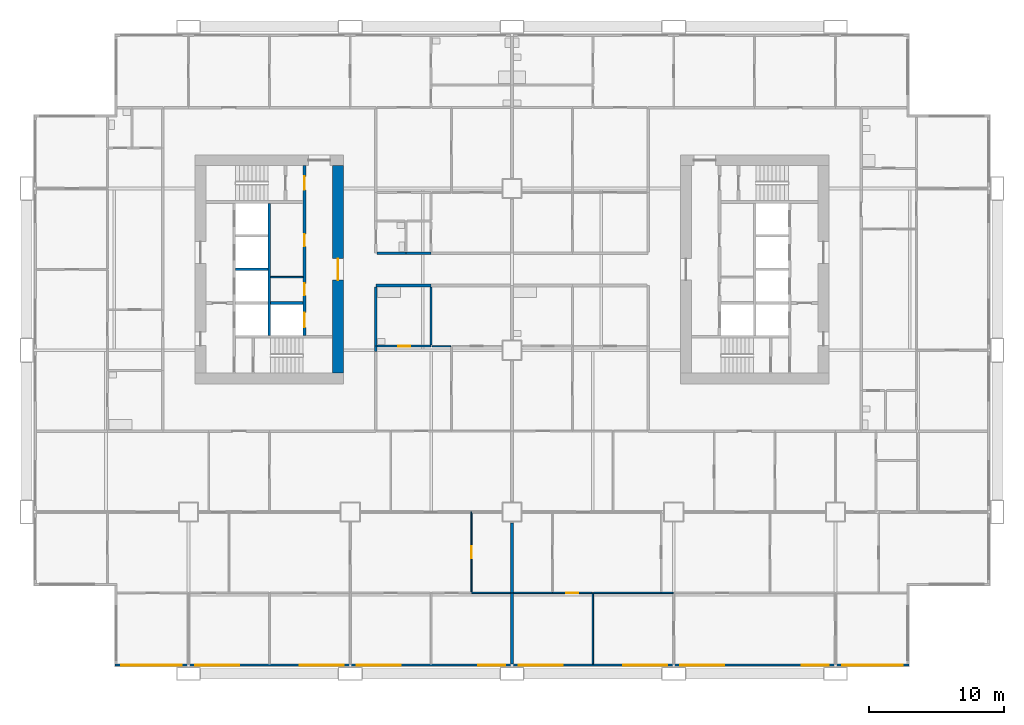
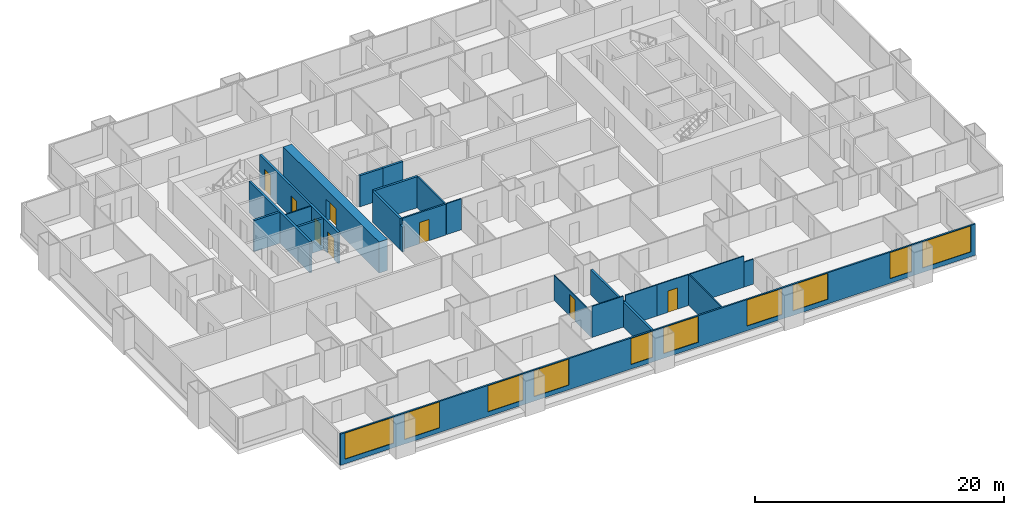
# One storey, part 4 of 13: 24 walls, 10 windows, 8 doors, 18 openings.
"""IFC4 building model written with IfcOpenShell, lengths in metres."""

from ifc_helpers import new_model, si_unit, direction, frame, frame_2d, origin, place, context, subcontext, project, spatial, rectangle, extrude, material, layer, layer_set, type_object, element, fill, save


model = new_model("IFC4")

# Units and contexts
model_context = context("Model", 3, precision=1e-05, world=origin(), true_north=direction((0.0, 1.0)))
body_context = subcontext(model_context, "Body", "Model", "MODEL_VIEW")
ifc_project = project(units=[si_unit("LENGTHUNIT", "METRE"), si_unit("AREAUNIT", "SQUARE_METRE"), si_unit("VOLUMEUNIT", "CUBIC_METRE"), si_unit("PLANEANGLEUNIT", "RADIAN"), si_unit("MASSUNIT", "GRAM", prefix="KILO")], contexts=[model_context])

# Site, building, storey
site_placement = place(None, origin())
site = spatial("IfcSite", under=ifc_project, at=site_placement, CompositionType="ELEMENT")
building_placement = place(site_placement, origin())
building = spatial("IfcBuilding", under=site, at=building_placement, Name="Kitamizu Gate Tower and Museum", CompositionType="ELEMENT")
storey_placement = place(building_placement, frame((0.0, 0.0, 36.89990234375)))
storey = spatial("IfcBuildingStorey", under=building, at=storey_placement, Name="L07", CompositionType="ELEMENT", Elevation=36.89990234375)

# Wall, opening, door
ifc_material_1 = material(Name="Concrete Fc60", Category="concrete")
ifc_layer_1 = layer(ifc_material_1, 0.800048828125)
ifc_layer_set_1 = layer_set([ifc_layer_1], Name="Concrete Fc60")
wall_type_1 = type_object("IfcWallType", Name="Core wall 800", PredefinedType="SHEAR", material=ifc_layer_set_1)
wall_1_placement = place(storey_placement, frame((23.10009765625, 22.300048828125, 0.0), z_axis=(0.0, 0.0, 1.0), x_axis=(0.0, 1.0, 0.0)))
wall_1 = element("IfcWall", 1, at=wall_1_placement, inside=storey, type_object=wall_type_1, Name="Core wall WARC", PredefinedType="SHEAR", context=body_context, shape_type="SweptSolid", body=[
    extrude(rectangle(XDim=15.39990234375, YDim=0.800048828125, at=frame_2d((7.699951171875, 0.0))), origin(), (0.0, 0.0, 1.0), 3.050048828125),
])
opening_1_placement = place(wall_1_placement, frame((6.89990234375, 0.0, 0.0)))
opening_1 = element("IfcOpeningElement", 2, at=opening_1_placement, cuts=wall_1, Name="Opening L07-086", PredefinedType="OPENING", context=body_context, shape_type="SweptSolid", body=[
    extrude(rectangle(XDim=1.60009765625, YDim=2.10009765625, at=frame_2d((0.800048828125, 1.050048828125))), frame((0.0, 0.41015625, 0.0), z_axis=(0.0, -1.0, 0.0), x_axis=(1.0, 0.0, 0.0)), (0.0, 0.0, 1.0), 0.820068359375),
])
ifc_material_2 = material(Name="Timber door set", Category="wood")
door_type_1 = type_object("IfcDoorType", Name="Entrance door 1600", OperationType="DOUBLE_DOOR_SINGLE_SWING", PredefinedType="DOOR", material=ifc_material_2)
door_1_placement = place(opening_1_placement, origin())
door_1 = element("IfcDoor", 3, at=door_1_placement, inside=storey, type_object=door_type_1, Name="Lobby door L07-086", OperationType="DOUBLE_DOOR_SINGLE_SWING", OverallHeight=2.10009765625, OverallWidth=1.60009765625, PredefinedType="DOOR", context=body_context, shape_type="SweptSolid", body=[
    extrude(rectangle(XDim=1.60009765625, YDim=2.10009765625, at=frame_2d((0.800048828125, 1.050048828125))), frame((0.0, 0.02490234375, 0.0), z_axis=(0.0, -1.0, 0.0), x_axis=(1.0, 0.0, 0.0)), (0.0, 0.0, 1.0), 0.050048828125),
])
fill(opening_1, door_1)

# Walls
ifc_material_3 = material(Name="Gypsum board on galvanised stud")
ifc_layer_2 = layer(ifc_material_3, 0.10009765625)
ifc_layer_set_2 = layer_set([ifc_layer_2], Name="Gypsum board on galvanised stud")
wall_type_2 = type_object("IfcWallType", Name="Partition 100", PredefinedType="PARTITIONING", material=ifc_layer_set_2)
wall_2_placement = place(storey_placement, frame((18.10009765625, 29.425048828125, 0.0), z_axis=(0.0, 0.0, 1.0), x_axis=(1.0, 0.0, 0.0)))
element("IfcWall", 4, at=wall_2_placement, inside=storey, type_object=wall_type_2, Name="Partition WPF1", PredefinedType="PARTITIONING", context=body_context, shape_type="SweptSolid", body=[
    extrude(rectangle(XDim=2.39990234375, YDim=0.10009765625, at=frame_2d((1.199951171875, 0.0))), origin(), (0.0, 0.0, 1.0), 3.050048828125),
])
ifc_material_4 = material(Name="Gypsum board on galvanised stud")
ifc_layer_3 = layer(ifc_material_4, 0.10009765625)
ifc_layer_set_3 = layer_set([ifc_layer_3], Name="Gypsum board on galvanised stud")
wall_type_3 = type_object("IfcWallType", Name="Partition 100 NOT RATED", PredefinedType="PARTITIONING", material=ifc_layer_set_3)
wall_3_placement = place(storey_placement, frame((35.89990234375, 6.0, 0.0), z_axis=(0.0, 0.0, 1.0), x_axis=(-1.0, 0.0, 0.0)))
element("IfcWall", 5, at=wall_3_placement, inside=storey, type_object=wall_type_3, Name="Partition L07-011", PredefinedType="PARTITIONING", context=body_context, shape_type="SweptSolid", body=[
    extrude(rectangle(XDim=2.89990234375, YDim=0.10009765625, at=frame_2d((1.449951171875, 0.0))), origin(), (0.0, 0.0, 1.0), 3.050048828125),
])

# Wall, opening, door
wall_4_placement = place(storey_placement, frame((33.0, 6.050048828125, 0.0), z_axis=(0.0, 0.0, 1.0), x_axis=(0.0, 1.0, 0.0)))
wall_4 = element("IfcWall", 6, at=wall_4_placement, inside=storey, type_object=wall_type_3, Name="Partition L07-022", PredefinedType="PARTITIONING", context=body_context, shape_type="SweptSolid", body=[
    extrude(rectangle(XDim=5.949951171875, YDim=0.10009765625, at=frame_2d((2.97509765625, 0.0))), origin(), (0.0, 0.0, 1.0), 2.4501953125),
])
opening_2_placement = place(wall_4_placement, frame((2.52490234375, 0.0, 0.0)))
opening_2 = element("IfcOpeningElement", 7, at=opening_2_placement, cuts=wall_4, Name="Opening L07-011", PredefinedType="OPENING", context=body_context, shape_type="SweptSolid", body=[
    extrude(rectangle(XDim=0.89990234375, YDim=2.10009765625, at=frame_2d((0.449951171875, 1.050048828125))), frame((0.0, 0.06005859375, 0.0), z_axis=(0.0, -1.0, 0.0), x_axis=(1.0, 0.0, 0.0)), (0.0, 0.0, 1.0), 0.1201171875),
])
ifc_material_5 = material(Name="Timber door set", Category="wood")
door_type_2 = type_object("IfcDoorType", Name="Room door 900", OperationType="NOTDEFINED", PredefinedType="DOOR", material=ifc_material_5)
door_2_placement = place(opening_2_placement, frame((0.89990234375, 0.0, 0.0), x_axis=(-1.0, 0.0, 0.0)))
door_2 = element("IfcDoor", 8, at=door_2_placement, inside=storey, type_object=door_type_2, Name="Door L07-011", OperationType="SINGLE_SWING_LEFT", OverallHeight=2.10009765625, OverallWidth=0.89990234375, PredefinedType="DOOR", context=body_context, shape_type="SweptSolid", body=[
    extrude(rectangle(XDim=0.89990234375, YDim=2.10009765625, at=frame_2d((0.449951171875, 1.050048828125))), frame((0.0, 0.02490234375, 0.0), z_axis=(0.0, -1.0, 0.0), x_axis=(1.0, 0.0, 0.0)), (0.0, 0.0, 1.0), 0.050048828125),
])
fill(opening_2, door_2)

# Walls
wall_5_placement = place(storey_placement, frame((31.449951171875, 24.300048828125, 0.0), z_axis=(0.0, 0.0, 1.0), x_axis=(-1.0, 0.0, 0.0)))
element("IfcWall", 9, at=wall_5_placement, inside=storey, type_object=wall_type_3, Name="Partition L07-041", PredefinedType="PARTITIONING", context=body_context, shape_type="SweptSolid", body=[
    extrude(rectangle(XDim=1.375, YDim=0.10009765625, at=frame_2d((0.6875, 0.0))), origin(), (0.0, 0.0, 1.0), 3.050048828125),
])
wall_6_placement = place(storey_placement, frame((42.0, 0.719970703125, 0.0), z_axis=(0.0, 0.0, 1.0), x_axis=(0.0, 1.0, 0.0)))
element("IfcWall", 10, at=wall_6_placement, inside=storey, type_object=wall_type_3, Name="Partition L07-073", PredefinedType="PARTITIONING", context=body_context, shape_type="SweptSolid", body=[
    extrude(rectangle(XDim=5.280029296875, YDim=0.10009765625, at=frame_2d((2.64013671875, 0.0))), origin(), (0.0, 0.0, 1.0), 3.050048828125),
])
wall_7_placement = place(storey_placement, frame((39.0, 6.0, 0.0), z_axis=(0.0, 0.0, 1.0), x_axis=(-1.0, 0.0, 0.0)))
element("IfcWall", 11, at=wall_7_placement, inside=storey, type_object=wall_type_3, Name="Partition L07-074", PredefinedType="PARTITIONING", context=body_context, shape_type="SweptSolid", body=[
    extrude(rectangle(XDim=2.89990234375, YDim=0.10009765625, at=frame_2d((1.449951171875, 0.0))), origin(), (0.0, 0.0, 1.0), 3.050048828125),
])

# Wall, opening, door
wall_8_placement = place(storey_placement, frame((41.949951171875, 6.0, 0.0), z_axis=(0.0, 0.0, 1.0), x_axis=(-1.0, 0.0, 0.0)))
wall_8 = element("IfcWall", 12, at=wall_8_placement, inside=storey, type_object=wall_type_3, Name="Partition L07-075", PredefinedType="PARTITIONING", context=body_context, shape_type="SweptSolid", body=[
    extrude(rectangle(XDim=2.949951171875, YDim=0.10009765625, at=frame_2d((1.47509765625, 0.0))), origin(), (0.0, 0.0, 1.0), 3.050048828125),
])
opening_3_placement = place(wall_8_placement, frame((1.02490234375, 0.0, 0.0)))
opening_3 = element("IfcOpeningElement", 13, at=opening_3_placement, cuts=wall_8, Name="Opening L07-033", PredefinedType="OPENING", context=body_context, shape_type="SweptSolid", body=[
    extrude(rectangle(XDim=0.89990234375, YDim=2.10009765625, at=frame_2d((0.449951171875, 1.050048828125))), frame((0.0, 0.06005859375, 0.0), z_axis=(0.0, -1.0, 0.0), x_axis=(1.0, 0.0, 0.0)), (0.0, 0.0, 1.0), 0.1201171875),
])
door_3_placement = place(opening_3_placement, origin())
door_3 = element("IfcDoor", 14, at=door_3_placement, inside=storey, type_object=door_type_2, Name="Door L07-033", OperationType="SINGLE_SWING_RIGHT", OverallHeight=2.10009765625, OverallWidth=0.89990234375, PredefinedType="DOOR", context=body_context, shape_type="SweptSolid", body=[
    extrude(rectangle(XDim=0.89990234375, YDim=2.10009765625, at=frame_2d((0.449951171875, 1.050048828125))), frame((0.0, 0.02490234375, 0.0), z_axis=(0.0, -1.0, 0.0), x_axis=(1.0, 0.0, 0.0)), (0.0, 0.0, 1.0), 0.050048828125),
])
fill(opening_3, door_3)

# Walls
wall_9_placement = place(storey_placement, frame((47.070068359375, 6.0, 0.0), z_axis=(0.0, 0.0, 1.0), x_axis=(-1.0, 0.0, 0.0)))
element("IfcWall", 15, at=wall_9_placement, inside=storey, type_object=wall_type_3, Name="Partition L07-077", PredefinedType="PARTITIONING", context=body_context, shape_type="SweptSolid", body=[
    extrude(rectangle(XDim=5.02001953125, YDim=0.10009765625, at=frame_2d((2.510009765625, 0.0))), origin(), (0.0, 0.0, 1.0), 3.050048828125),
])
wall_10_placement = place(storey_placement, frame((47.949951171875, 6.0, 0.0), z_axis=(0.0, 0.0, 1.0), x_axis=(-1.0, 0.0, 0.0)))
element("IfcWall", 16, at=wall_10_placement, inside=storey, type_object=wall_type_3, Name="Partition L07-078", PredefinedType="PARTITIONING", context=body_context, shape_type="SweptSolid", body=[
    extrude(rectangle(XDim=0.8798828125, YDim=0.10009765625, at=frame_2d((0.43994140625, 0.0))), origin(), (0.0, 0.0, 1.0), 2.4501953125),
])

# Wall, opening, door
ifc_material_6 = material(Name="Gypsum board on galvanised stud")
ifc_layer_4 = layer(ifc_material_6, 0.14990234375)
ifc_layer_set_4 = layer_set([ifc_layer_4], Name="Gypsum board on galvanised stud")
wall_type_4 = type_object("IfcWallType", Name="Partition 150", PredefinedType="PARTITIONING", material=ifc_layer_set_4)
wall_11_placement = place(storey_placement, frame((30.0, 24.300048828125, 0.0), z_axis=(0.0, 0.0, 1.0), x_axis=(-1.0, 0.0, 0.0)))
wall_11 = element("IfcWall", 17, at=wall_11_placement, inside=storey, type_object=wall_type_4, Name="Partition L07-040", PredefinedType="PARTITIONING", context=body_context, shape_type="SweptSolid", body=[
    extrude(rectangle(XDim=4.0, YDim=0.14990234375, at=frame_2d((2.0, 0.0))), origin(), (0.0, 0.0, 1.0), 3.050048828125),
])
opening_4_placement = place(wall_11_placement, frame((1.550048828125, 0.0, 0.0)))
opening_4 = element("IfcOpeningElement", 18, at=opening_4_placement, cuts=wall_11, Name="Opening L07-017", PredefinedType="OPENING", context=body_context, shape_type="SweptSolid", body=[
    extrude(rectangle(XDim=0.89990234375, YDim=2.10009765625, at=frame_2d((0.449951171875, 1.050048828125))), frame((0.0, 0.0849609375, 0.0), z_axis=(0.0, -1.0, 0.0), x_axis=(1.0, 0.0, 0.0)), (0.0, 0.0, 1.0), 0.169921875),
])
ifc_material_7 = material(Name="Timber door set", Category="wood")
door_type_3 = type_object("IfcDoorType", Name="Bathroom door 900", OperationType="NOTDEFINED", PredefinedType="DOOR", material=ifc_material_7)
door_4_placement = place(opening_4_placement, frame((0.89990234375, 0.0, 0.0), x_axis=(-1.0, 0.0, 0.0)))
door_4 = element("IfcDoor", 19, at=door_4_placement, inside=storey, type_object=door_type_3, Name="Bathroom door L07-017", OperationType="SINGLE_SWING_LEFT", OverallHeight=2.10009765625, OverallWidth=0.89990234375, PredefinedType="DOOR", context=body_context, shape_type="SweptSolid", body=[
    extrude(rectangle(XDim=0.89990234375, YDim=2.10009765625, at=frame_2d((0.449951171875, 1.050048828125))), frame((0.0, 0.02490234375, 0.0), z_axis=(0.0, -1.0, 0.0), x_axis=(1.0, 0.0, 0.0)), (0.0, 0.0, 1.0), 0.050048828125),
])
fill(opening_4, door_4)

# Walls
wall_12_placement = place(storey_placement, frame((30.0, 24.375, 0.0), z_axis=(0.0, 0.0, 1.0), x_axis=(0.0, 1.0, 0.0)))
element("IfcWall", 20, at=wall_12_placement, inside=storey, type_object=wall_type_4, Name="Partition L07-046", PredefinedType="PARTITIONING", context=body_context, shape_type="SweptSolid", body=[
    extrude(rectangle(XDim=4.324951171875, YDim=0.14990234375, at=frame_2d((2.16259765625, 0.0))), origin(), (0.0, 0.0, 1.0), 3.050048828125),
])
ifc_material_8 = material(Name="Gypsum board on galvanised stud")
ifc_layer_5 = layer(ifc_material_8, 0.199951171875)
ifc_layer_set_5 = layer_set([ifc_layer_5], Name="Gypsum board on galvanised stud")
wall_type_5 = type_object("IfcWallType", Name="Partition 200", PredefinedType="PARTITIONING", material=ifc_layer_set_5)
wall_13_placement = place(storey_placement, frame((36.0, 0.719970703125, 0.0), z_axis=(0.0, 0.0, 1.0), x_axis=(0.0, 1.0, 0.0)))
element("IfcWall", 21, at=wall_13_placement, inside=storey, type_object=wall_type_5, Name="Partition L07-012", PredefinedType="PARTITIONING", context=body_context, shape_type="SweptSolid", body=[
    extrude(rectangle(XDim=5.280029296875, YDim=0.199951171875, at=frame_2d((2.64013671875, 0.0))), origin(), (0.0, 0.0, 1.0), 2.4501953125),
])
wall_14_placement = place(storey_placement, frame((36.0, 6.0, 0.0), z_axis=(0.0, 0.0, 1.0), x_axis=(0.0, 1.0, 0.0)))
element("IfcWall", 22, at=wall_14_placement, inside=storey, type_object=wall_type_5, Name="Partition L07-026", PredefinedType="PARTITIONING", context=body_context, shape_type="SweptSolid", body=[
    extrude(rectangle(XDim=5.199951171875, YDim=0.199951171875, at=frame_2d((2.60009765625, 0.0))), origin(), (0.0, 0.0, 1.0), 2.4501953125),
])
wall_15_placement = place(storey_placement, frame((25.89990234375, 24.300048828125, 0.0), z_axis=(0.0, 0.0, 1.0), x_axis=(0.0, -1.0, 0.0)))
element("IfcWall", 23, at=wall_15_placement, inside=storey, type_object=wall_type_5, Name="Partition L07-042", PredefinedType="PARTITIONING", context=body_context, shape_type="SweptSolid", body=[
    extrude(rectangle(XDim=0.400146484375, YDim=0.199951171875, at=frame_2d((0.2001953125, 0.0))), origin(), (0.0, 0.0, 1.0), 2.4501953125),
])
wall_16_placement = place(storey_placement, frame((30.0, 28.800048828125, 0.0), z_axis=(0.0, 0.0, 1.0), x_axis=(-1.0, 0.0, 0.0)))
element("IfcWall", 24, at=wall_16_placement, inside=storey, type_object=wall_type_5, Name="Partition L07-047", PredefinedType="PARTITIONING", context=body_context, shape_type="SweptSolid", body=[
    extrude(rectangle(XDim=4.10009765625, YDim=0.199951171875, at=frame_2d((2.050048828125, 0.0))), origin(), (0.0, 0.0, 1.0), 3.050048828125),
])
wall_17_placement = place(storey_placement, frame((25.89990234375, 28.699951171875, 0.0), z_axis=(0.0, 0.0, 1.0), x_axis=(0.0, -1.0, 0.0)))
element("IfcWall", 25, at=wall_17_placement, inside=storey, type_object=wall_type_5, Name="Partition L07-048", PredefinedType="PARTITIONING", context=body_context, shape_type="SweptSolid", body=[
    extrude(rectangle(XDim=4.39990234375, YDim=0.199951171875, at=frame_2d((2.199951171875, 0.0))), origin(), (0.0, 0.0, 1.0), 3.050048828125),
])
wall_18_placement = place(storey_placement, frame((26.0, 31.199951171875, 0.0), z_axis=(0.0, 0.0, 1.0), x_axis=(1.0, 0.0, 0.0)))
element("IfcWall", 26, at=wall_18_placement, inside=storey, type_object=wall_type_5, Name="Partition L07-171", PredefinedType="PARTITIONING", context=body_context, shape_type="SweptSolid", body=[
    extrude(rectangle(XDim=2.14990234375, YDim=0.199951171875, at=frame_2d((1.074951171875, 0.0))), origin(), (0.0, 0.0, 1.0), 3.050048828125),
])
wall_19_placement = place(storey_placement, frame((28.14990234375, 31.199951171875, 0.0), z_axis=(0.0, 0.0, 1.0), x_axis=(1.0, 0.0, 0.0)))
element("IfcWall", 27, at=wall_19_placement, inside=storey, type_object=wall_type_5, Name="Partition L07-174", PredefinedType="PARTITIONING", context=body_context, shape_type="SweptSolid", body=[
    extrude(rectangle(XDim=1.85009765625, YDim=0.199951171875, at=frame_2d((0.925048828125, 0.0))), origin(), (0.0, 0.0, 1.0), 3.050048828125),
])

# Wall, openings, doors
ifc_material_9 = material(Name="Concrete Fc42", Category="concrete")
ifc_layer_6 = layer(ifc_material_9, 0.199951171875)
ifc_layer_set_6 = layer_set([ifc_layer_6], Name="Concrete Fc42")
wall_type_6 = type_object("IfcWallType", Name="Shaft wall 200", PredefinedType="SOLIDWALL", material=ifc_layer_set_6)
wall_20_placement = place(storey_placement, frame((20.60009765625, 25.10009765625, 0.0), z_axis=(0.0, 0.0, 1.0), x_axis=(0.0, 1.0, 0.0)))
wall_20 = element("IfcWall", 28, at=wall_20_placement, inside=storey, type_object=wall_type_6, Name="Shaft wall WEAST", PredefinedType="SOLIDWALL", context=body_context, shape_type="SweptSolid", body=[
    extrude(rectangle(XDim=12.599853515625, YDim=0.199951171875, at=frame_2d((6.2998046875, 0.0))), origin(), (0.0, 0.0, 1.0), 3.050048828125),
])
opening_5_placement = place(wall_20_placement, frame((0.60009765625, 0.0, 0.0)))
opening_5 = element("IfcOpeningElement", 29, at=opening_5_placement, cuts=wall_20, Name="Opening LD", PredefinedType="OPENING", context=body_context, shape_type="SweptSolid", body=[
    extrude(rectangle(XDim=1.10009765625, YDim=2.10009765625, at=frame_2d((0.550048828125, 1.050048828125))), frame((0.0, 0.10986328125, 0.0), z_axis=(0.0, -1.0, 0.0), x_axis=(1.0, 0.0, 0.0)), (0.0, 0.0, 1.0), 0.219970703125),
])
opening_6_placement = place(wall_20_placement, frame((10.800048828125, 0.0, 0.0)))
opening_6 = element("IfcOpeningElement", 30, at=opening_6_placement, cuts=wall_20, Name="Opening L07-080", PredefinedType="OPENING", context=body_context, shape_type="SweptSolid", body=[
    extrude(rectangle(XDim=1.0, YDim=2.10009765625, at=frame_2d((0.5, 1.050048828125))), frame((0.0, 0.10986328125, 0.0), z_axis=(0.0, -1.0, 0.0), x_axis=(1.0, 0.0, 0.0)), (0.0, 0.0, 1.0), 0.219970703125),
])
opening_7_placement = place(wall_20_placement, frame((2.96240234375, 0.0, 0.0)))
opening_7 = element("IfcOpeningElement", 31, at=opening_7_placement, cuts=wall_20, Name="Opening L07-087", PredefinedType="OPENING", context=body_context, shape_type="SweptSolid", body=[
    extrude(rectangle(XDim=0.89990234375, YDim=2.10009765625, at=frame_2d((0.449951171875, 1.050048828125))), frame((0.0, 0.10986328125, 0.0), z_axis=(0.0, -1.0, 0.0), x_axis=(1.0, 0.0, 0.0)), (0.0, 0.0, 1.0), 0.219970703125),
])
opening_8_placement = place(wall_20_placement, frame((6.612548828125, 0.0, 0.0)))
opening_8 = element("IfcOpeningElement", 32, at=opening_8_placement, cuts=wall_20, Name="Opening L07-088", PredefinedType="OPENING", context=body_context, shape_type="SweptSolid", body=[
    extrude(rectangle(XDim=0.89990234375, YDim=2.10009765625, at=frame_2d((0.449951171875, 1.050048828125))), frame((0.0, 0.10986328125, 0.0), z_axis=(0.0, -1.0, 0.0), x_axis=(1.0, 0.0, 0.0)), (0.0, 0.0, 1.0), 0.219970703125),
])
ifc_material_10 = material(Name="Hollow metal door set")
door_type_4 = type_object("IfcDoorType", Name="Fire door 1000", OperationType="NOTDEFINED", PredefinedType="DOOR", material=ifc_material_10)
door_5_placement = place(opening_6_placement, origin())
door_5 = element("IfcDoor", 33, at=door_5_placement, inside=storey, type_object=door_type_4, Name="Stair lobby door L07-080", OperationType="SINGLE_SWING_LEFT", OverallHeight=2.10009765625, OverallWidth=1.0, PredefinedType="DOOR", context=body_context, shape_type="SweptSolid", body=[
    extrude(rectangle(XDim=1.0, YDim=2.10009765625, at=frame_2d((0.5, 1.050048828125))), frame((0.0, 0.02490234375, 0.0), z_axis=(0.0, -1.0, 0.0), x_axis=(1.0, 0.0, 0.0)), (0.0, 0.0, 1.0), 0.050048828125),
])
fill(opening_6, door_5)
ifc_material_11 = material(Name="Hollow metal door set")
door_type_5 = type_object("IfcDoorType", Name="Landing door 1100", OperationType="SLIDING_TO_LEFT", PredefinedType="DOOR", material=ifc_material_11)
door_6_placement = place(opening_5_placement, origin())
door_6 = element("IfcDoor", 34, at=door_6_placement, inside=storey, type_object=door_type_5, Name="Landing door WSV1", OperationType="SLIDING_TO_LEFT", OverallHeight=2.10009765625, OverallWidth=1.10009765625, PredefinedType="DOOR", context=body_context, shape_type="SweptSolid", body=[
    extrude(rectangle(XDim=1.10009765625, YDim=2.10009765625, at=frame_2d((0.550048828125, 1.050048828125))), frame((0.0, 0.02490234375, 0.0), z_axis=(0.0, -1.0, 0.0), x_axis=(1.0, 0.0, 0.0)), (0.0, 0.0, 1.0), 0.050048828125),
])
fill(opening_5, door_6)
ifc_material_12 = material(Name="Timber door set", Category="wood")
door_type_6 = type_object("IfcDoorType", Name="Service door 900", OperationType="NOTDEFINED", PredefinedType="DOOR", material=ifc_material_12)
door_7_placement = place(opening_7_placement, origin())
door_7 = element("IfcDoor", 35, at=door_7_placement, inside=storey, type_object=door_type_6, Name="Service door L07-087", OperationType="SINGLE_SWING_LEFT", OverallHeight=2.10009765625, OverallWidth=0.89990234375, PredefinedType="DOOR", context=body_context, shape_type="SweptSolid", body=[
    extrude(rectangle(XDim=0.89990234375, YDim=2.10009765625, at=frame_2d((0.449951171875, 1.050048828125))), frame((0.0, 0.02490234375, 0.0), z_axis=(0.0, -1.0, 0.0), x_axis=(1.0, 0.0, 0.0)), (0.0, 0.0, 1.0), 0.050048828125),
])
fill(opening_7, door_7)
door_8_placement = place(opening_8_placement, origin())
door_8 = element("IfcDoor", 36, at=door_8_placement, inside=storey, type_object=door_type_6, Name="Service door L07-088", OperationType="SINGLE_SWING_RIGHT", OverallHeight=2.10009765625, OverallWidth=0.89990234375, PredefinedType="DOOR", context=body_context, shape_type="SweptSolid", body=[
    extrude(rectangle(XDim=0.89990234375, YDim=2.10009765625, at=frame_2d((0.449951171875, 1.050048828125))), frame((0.0, 0.02490234375, 0.0), z_axis=(0.0, -1.0, 0.0), x_axis=(1.0, 0.0, 0.0)), (0.0, 0.0, 1.0), 0.050048828125),
])
fill(opening_8, door_8)

# Walls
wall_21_placement = place(storey_placement, frame((18.0, 25.10009765625, 0.0), z_axis=(0.0, 0.0, 1.0), x_axis=(0.0, 1.0, 0.0)))
element("IfcWall", 37, at=wall_21_placement, inside=storey, type_object=wall_type_6, Name="Shaft wall WMID", PredefinedType="SOLIDWALL", context=body_context, shape_type="SweptSolid", body=[
    extrude(rectangle(XDim=9.7998046875, YDim=0.199951171875, at=frame_2d((4.89990234375, 0.0))), origin(), (0.0, 0.0, 1.0), 3.050048828125),
])
for number, where, z_axis, x_axis, name in (
    (38, (15.5, 30.0, 0.0), (0.0, 0.0, 1.0), (1.0, 0.0, 0.0), "Shaft wall WDVW1"),
    (39, (18.10009765625, 27.5, 0.0), (0.0, 0.0, 1.0), (1.0, 0.0, 0.0), "Shaft wall WDVE0"),
):
    element("IfcWall", number, at=place(storey_placement, frame(where, z_axis=z_axis, x_axis=x_axis)), inside=storey, type_object=wall_type_6, Name=name, PredefinedType="SOLIDWALL", context=body_context, shape_type="SweptSolid", body=[
        extrude(rectangle(XDim=2.39990234375, YDim=0.199951171875, at=frame_2d((1.199951171875, 0.0))), origin(), (0.0, 0.0, 1.0), 3.050048828125),
    ])

# Wall, openings, windows
ifc_material_13 = material(Name="Bronze anodised aluminium frame with insulated spandrel and tinted glass", Category="aluminium")
ifc_layer_7 = layer(ifc_material_13, 0.14990234375)
ifc_layer_set_7 = layer_set([ifc_layer_7], Name="Bronze anodised aluminium frame with insulated spandrel and tinted glass")
wall_type_7 = type_object("IfcWallType", Name="WINDOW WALL 150 BRONZE FRAME EI 30", PredefinedType="ELEMENTEDWALL", material=ifc_layer_set_7)
wall_22_placement = place(storey_placement, frame((6.56005859375, 0.635009765625, 0.0), z_axis=(0.0, 0.0, 1.0), x_axis=(1.0, 0.0, 0.0)))
wall_22 = element("IfcWall", 40, at=wall_22_placement, inside=storey, type_object=wall_type_7, Name="Window wall south L07", PredefinedType="ELEMENTEDWALL", context=body_context, shape_type="SweptSolid", body=[
    extrude(rectangle(XDim=58.8798828125, YDim=0.14990234375, at=frame_2d((29.43994140625, 0.0))), origin(), (0.0, 0.0, 1.0), 3.050048828125),
])
opening_9_placement = place(wall_22_placement, frame((0.43994140625, 0.0, 0.449951171875)))
opening_9 = element("IfcOpeningElement", 41, at=opening_9_placement, cuts=wall_22, Name="Opening W15", PredefinedType="OPENING", context=body_context, shape_type="SweptSolid", body=[
    extrude(rectangle(XDim=4.5, YDim=2.550048828125, at=frame_2d((2.25, 1.27490234375))), frame((0.0, 0.0849609375, 0.0), z_axis=(0.0, -1.0, 0.0), x_axis=(1.0, 0.0, 0.0)), (0.0, 0.0, 1.0), 0.169921875),
])
opening_10_placement = place(wall_22_placement, frame((5.93994140625, 0.0, 0.449951171875)))
opening_10 = element("IfcOpeningElement", 42, at=opening_10_placement, cuts=wall_22, Name="Opening W34", PredefinedType="OPENING", context=body_context, shape_type="SweptSolid", body=[
    extrude(rectangle(XDim=3.25, YDim=2.550048828125, at=frame_2d((1.625, 1.27490234375))), frame((0.0, 0.0849609375, 0.0), z_axis=(0.0, -1.0, 0.0), x_axis=(1.0, 0.0, 0.0)), (0.0, 0.0, 1.0), 0.169921875),
])
opening_11_placement = place(wall_22_placement, frame((13.68994140625, 0.0, 0.449951171875)))
opening_11 = element("IfcOpeningElement", 43, at=opening_11_placement, cuts=wall_22, Name="Opening W34", PredefinedType="OPENING", context=body_context, shape_type="SweptSolid", body=[
    extrude(rectangle(XDim=3.25, YDim=2.550048828125, at=frame_2d((1.625, 1.27490234375))), frame((0.0, 0.0849609375, 0.0), z_axis=(0.0, -1.0, 0.0), x_axis=(1.0, 0.0, 0.0)), (0.0, 0.0, 1.0), 0.169921875),
])
opening_12_placement = place(wall_22_placement, frame((17.93994140625, 0.0, 0.449951171875)))
opening_12 = element("IfcOpeningElement", 44, at=opening_12_placement, cuts=wall_22, Name="Opening W34", PredefinedType="OPENING", context=body_context, shape_type="SweptSolid", body=[
    extrude(rectangle(XDim=3.25, YDim=2.550048828125, at=frame_2d((1.625, 1.27490234375))), frame((0.0, 0.0849609375, 0.0), z_axis=(0.0, -1.0, 0.0), x_axis=(1.0, 0.0, 0.0)), (0.0, 0.0, 1.0), 0.169921875),
])
opening_13_placement = place(wall_22_placement, frame((26.93994140625, 0.0, 0.449951171875)))
opening_13 = element("IfcOpeningElement", 45, at=opening_13_placement, cuts=wall_22, Name="Opening W2", PredefinedType="OPENING", context=body_context, shape_type="SweptSolid", body=[
    extrude(rectangle(XDim=2.0, YDim=2.550048828125, at=frame_2d((1.0, 1.27490234375))), frame((0.0, 0.0849609375, 0.0), z_axis=(0.0, -1.0, 0.0), x_axis=(1.0, 0.0, 0.0)), (0.0, 0.0, 1.0), 0.169921875),
])
opening_14_placement = place(wall_22_placement, frame((29.93994140625, 0.0, 0.449951171875)))
opening_14 = element("IfcOpeningElement", 46, at=opening_14_placement, cuts=wall_22, Name="Opening W34", PredefinedType="OPENING", context=body_context, shape_type="SweptSolid", body=[
    extrude(rectangle(XDim=3.25, YDim=2.550048828125, at=frame_2d((1.625, 1.27490234375))), frame((0.0, 0.0849609375, 0.0), z_axis=(0.0, -1.0, 0.0), x_axis=(1.0, 0.0, 0.0)), (0.0, 0.0, 1.0), 0.169921875),
])
opening_15_placement = place(wall_22_placement, frame((37.68994140625, 0.0, 0.449951171875)))
opening_15 = element("IfcOpeningElement", 47, at=opening_15_placement, cuts=wall_22, Name="Opening W34", PredefinedType="OPENING", context=body_context, shape_type="SweptSolid", body=[
    extrude(rectangle(XDim=3.25, YDim=2.550048828125, at=frame_2d((1.625, 1.27490234375))), frame((0.0, 0.0849609375, 0.0), z_axis=(0.0, -1.0, 0.0), x_axis=(1.0, 0.0, 0.0)), (0.0, 0.0, 1.0), 0.169921875),
])
opening_16_placement = place(wall_22_placement, frame((41.93994140625, 0.0, 0.449951171875)))
opening_16 = element("IfcOpeningElement", 48, at=opening_16_placement, cuts=wall_22, Name="Opening W34", PredefinedType="OPENING", context=body_context, shape_type="SweptSolid", body=[
    extrude(rectangle(XDim=3.25, YDim=2.550048828125, at=frame_2d((1.625, 1.27490234375))), frame((0.0, 0.0849609375, 0.0), z_axis=(0.0, -1.0, 0.0), x_axis=(1.0, 0.0, 0.0)), (0.0, 0.0, 1.0), 0.169921875),
])
opening_17_placement = place(wall_22_placement, frame((50.93994140625, 0.0, 0.449951171875)))
opening_17 = element("IfcOpeningElement", 49, at=opening_17_placement, cuts=wall_22, Name="Opening W2", PredefinedType="OPENING", context=body_context, shape_type="SweptSolid", body=[
    extrude(rectangle(XDim=2.0, YDim=2.550048828125, at=frame_2d((1.0, 1.27490234375))), frame((0.0, 0.0849609375, 0.0), z_axis=(0.0, -1.0, 0.0), x_axis=(1.0, 0.0, 0.0)), (0.0, 0.0, 1.0), 0.169921875),
])
opening_18_placement = place(wall_22_placement, frame((53.93994140625, 0.0, 0.449951171875)))
opening_18 = element("IfcOpeningElement", 50, at=opening_18_placement, cuts=wall_22, Name="Opening W15", PredefinedType="OPENING", context=body_context, shape_type="SweptSolid", body=[
    extrude(rectangle(XDim=4.5, YDim=2.550048828125, at=frame_2d((2.25, 1.27490234375))), frame((0.0, 0.0849609375, 0.0), z_axis=(0.0, -1.0, 0.0), x_axis=(1.0, 0.0, 0.0)), (0.0, 0.0, 1.0), 0.169921875),
])
ifc_material_14 = material(Name="Bronze anodised aluminium frame, tinted triple glazing", Category="aluminium")
window_type_1 = type_object("IfcWindowType", Name="WINDOW 2000 x 2550 SILL 450", PartitioningType="SINGLE_PANEL", PredefinedType="WINDOW", material=ifc_material_14)
window_1_placement = place(opening_13_placement, origin())
window_1 = element("IfcWindow", 51, at=window_1_placement, inside=storey, type_object=window_type_1, Name="Window W2 L07", OverallHeight=2.550048828125, OverallWidth=2.0, PartitioningType="SINGLE_PANEL", PredefinedType="WINDOW", context=body_context, shape_type="SweptSolid", body=[
    extrude(rectangle(XDim=2.0, YDim=2.550048828125, at=frame_2d((1.0, 1.27490234375))), frame((0.0, 0.030029296875, 0.0), z_axis=(0.0, -1.0, 0.0), x_axis=(1.0, 0.0, 0.0)), (0.0, 0.0, 1.0), 0.06005859375),
])
fill(opening_13, window_1)
window_2_placement = place(opening_17_placement, origin())
window_2 = element("IfcWindow", 52, at=window_2_placement, inside=storey, type_object=window_type_1, Name="Window W2 L07", OverallHeight=2.550048828125, OverallWidth=2.0, PartitioningType="SINGLE_PANEL", PredefinedType="WINDOW", context=body_context, shape_type="SweptSolid", body=[
    extrude(rectangle(XDim=2.0, YDim=2.550048828125, at=frame_2d((1.0, 1.27490234375))), frame((0.0, 0.030029296875, 0.0), z_axis=(0.0, -1.0, 0.0), x_axis=(1.0, 0.0, 0.0)), (0.0, 0.0, 1.0), 0.06005859375),
])
fill(opening_17, window_2)
ifc_material_15 = material(Name="Bronze anodised aluminium frame, tinted triple glazing", Category="aluminium")
window_type_2 = type_object("IfcWindowType", Name="WINDOW 3250 x 2550 SILL 450", PartitioningType="SINGLE_PANEL", PredefinedType="WINDOW", material=ifc_material_15)
window_3_placement = place(opening_10_placement, origin())
window_3 = element("IfcWindow", 53, at=window_3_placement, inside=storey, type_object=window_type_2, Name="Window W34 L07", OverallHeight=2.550048828125, OverallWidth=3.25, PartitioningType="SINGLE_PANEL", PredefinedType="WINDOW", context=body_context, shape_type="SweptSolid", body=[
    extrude(rectangle(XDim=3.25, YDim=2.550048828125, at=frame_2d((1.625, 1.27490234375))), frame((0.0, 0.030029296875, 0.0), z_axis=(0.0, -1.0, 0.0), x_axis=(1.0, 0.0, 0.0)), (0.0, 0.0, 1.0), 0.06005859375),
])
fill(opening_10, window_3)
window_4_placement = place(opening_11_placement, origin())
window_4 = element("IfcWindow", 54, at=window_4_placement, inside=storey, type_object=window_type_2, Name="Window W34 L07", OverallHeight=2.550048828125, OverallWidth=3.25, PartitioningType="SINGLE_PANEL", PredefinedType="WINDOW", context=body_context, shape_type="SweptSolid", body=[
    extrude(rectangle(XDim=3.25, YDim=2.550048828125, at=frame_2d((1.625, 1.27490234375))), frame((0.0, 0.030029296875, 0.0), z_axis=(0.0, -1.0, 0.0), x_axis=(1.0, 0.0, 0.0)), (0.0, 0.0, 1.0), 0.06005859375),
])
fill(opening_11, window_4)
window_5_placement = place(opening_12_placement, origin())
window_5 = element("IfcWindow", 55, at=window_5_placement, inside=storey, type_object=window_type_2, Name="Window W34 L07", OverallHeight=2.550048828125, OverallWidth=3.25, PartitioningType="SINGLE_PANEL", PredefinedType="WINDOW", context=body_context, shape_type="SweptSolid", body=[
    extrude(rectangle(XDim=3.25, YDim=2.550048828125, at=frame_2d((1.625, 1.27490234375))), frame((0.0, 0.030029296875, 0.0), z_axis=(0.0, -1.0, 0.0), x_axis=(1.0, 0.0, 0.0)), (0.0, 0.0, 1.0), 0.06005859375),
])
fill(opening_12, window_5)
window_6_placement = place(opening_14_placement, origin())
window_6 = element("IfcWindow", 56, at=window_6_placement, inside=storey, type_object=window_type_2, Name="Window W34 L07", OverallHeight=2.550048828125, OverallWidth=3.25, PartitioningType="SINGLE_PANEL", PredefinedType="WINDOW", context=body_context, shape_type="SweptSolid", body=[
    extrude(rectangle(XDim=3.25, YDim=2.550048828125, at=frame_2d((1.625, 1.27490234375))), frame((0.0, 0.030029296875, 0.0), z_axis=(0.0, -1.0, 0.0), x_axis=(1.0, 0.0, 0.0)), (0.0, 0.0, 1.0), 0.06005859375),
])
fill(opening_14, window_6)
window_7_placement = place(opening_15_placement, origin())
window_7 = element("IfcWindow", 57, at=window_7_placement, inside=storey, type_object=window_type_2, Name="Window W34 L07", OverallHeight=2.550048828125, OverallWidth=3.25, PartitioningType="SINGLE_PANEL", PredefinedType="WINDOW", context=body_context, shape_type="SweptSolid", body=[
    extrude(rectangle(XDim=3.25, YDim=2.550048828125, at=frame_2d((1.625, 1.27490234375))), frame((0.0, 0.030029296875, 0.0), z_axis=(0.0, -1.0, 0.0), x_axis=(1.0, 0.0, 0.0)), (0.0, 0.0, 1.0), 0.06005859375),
])
fill(opening_15, window_7)
window_8_placement = place(opening_16_placement, origin())
window_8 = element("IfcWindow", 58, at=window_8_placement, inside=storey, type_object=window_type_2, Name="Window W34 L07", OverallHeight=2.550048828125, OverallWidth=3.25, PartitioningType="SINGLE_PANEL", PredefinedType="WINDOW", context=body_context, shape_type="SweptSolid", body=[
    extrude(rectangle(XDim=3.25, YDim=2.550048828125, at=frame_2d((1.625, 1.27490234375))), frame((0.0, 0.030029296875, 0.0), z_axis=(0.0, -1.0, 0.0), x_axis=(1.0, 0.0, 0.0)), (0.0, 0.0, 1.0), 0.06005859375),
])
fill(opening_16, window_8)
ifc_material_16 = material(Name="Bronze anodised aluminium frame, tinted triple glazing", Category="aluminium")
window_type_3 = type_object("IfcWindowType", Name="WINDOW 4500 x 2550 SILL 450", PartitioningType="SINGLE_PANEL", PredefinedType="WINDOW", material=ifc_material_16)
window_9_placement = place(opening_9_placement, origin())
window_9 = element("IfcWindow", 59, at=window_9_placement, inside=storey, type_object=window_type_3, Name="Window W15 L07", OverallHeight=2.550048828125, OverallWidth=4.5, PartitioningType="SINGLE_PANEL", PredefinedType="WINDOW", context=body_context, shape_type="SweptSolid", body=[
    extrude(rectangle(XDim=4.5, YDim=2.550048828125, at=frame_2d((2.25, 1.27490234375))), frame((0.0, 0.030029296875, 0.0), z_axis=(0.0, -1.0, 0.0), x_axis=(1.0, 0.0, 0.0)), (0.0, 0.0, 1.0), 0.06005859375),
])
fill(opening_9, window_9)
window_10_placement = place(opening_18_placement, origin())
window_10 = element("IfcWindow", 60, at=window_10_placement, inside=storey, type_object=window_type_3, Name="Window W15 L07", OverallHeight=2.550048828125, OverallWidth=4.5, PartitioningType="SINGLE_PANEL", PredefinedType="WINDOW", context=body_context, shape_type="SweptSolid", body=[
    extrude(rectangle(XDim=4.5, YDim=2.550048828125, at=frame_2d((2.25, 1.27490234375))), frame((0.0, 0.030029296875, 0.0), z_axis=(0.0, -1.0, 0.0), x_axis=(1.0, 0.0, 0.0)), (0.0, 0.0, 1.0), 0.06005859375),
])
fill(opening_18, window_10)

save(model, "model.ifc")
